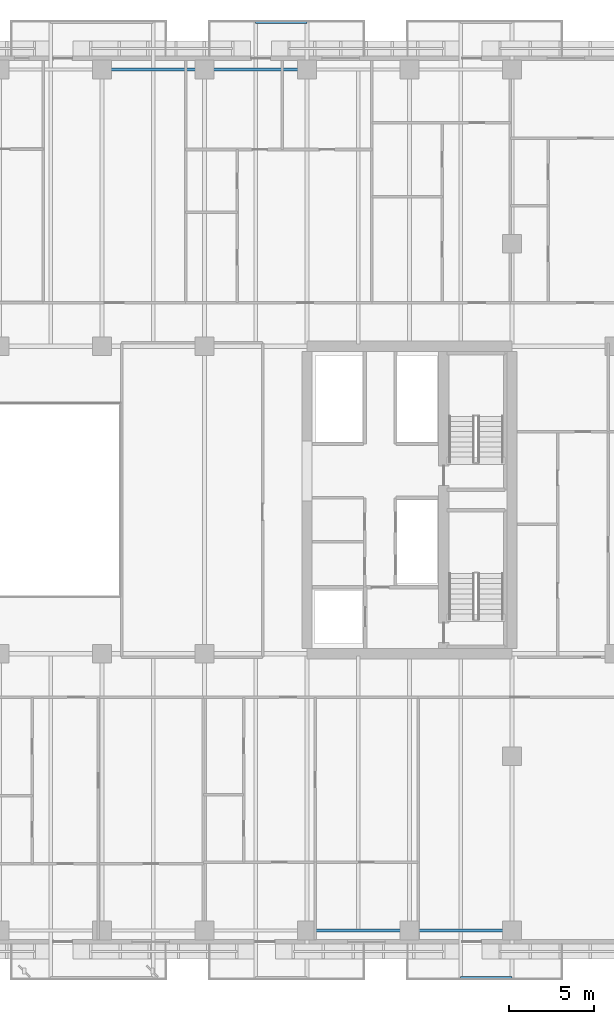
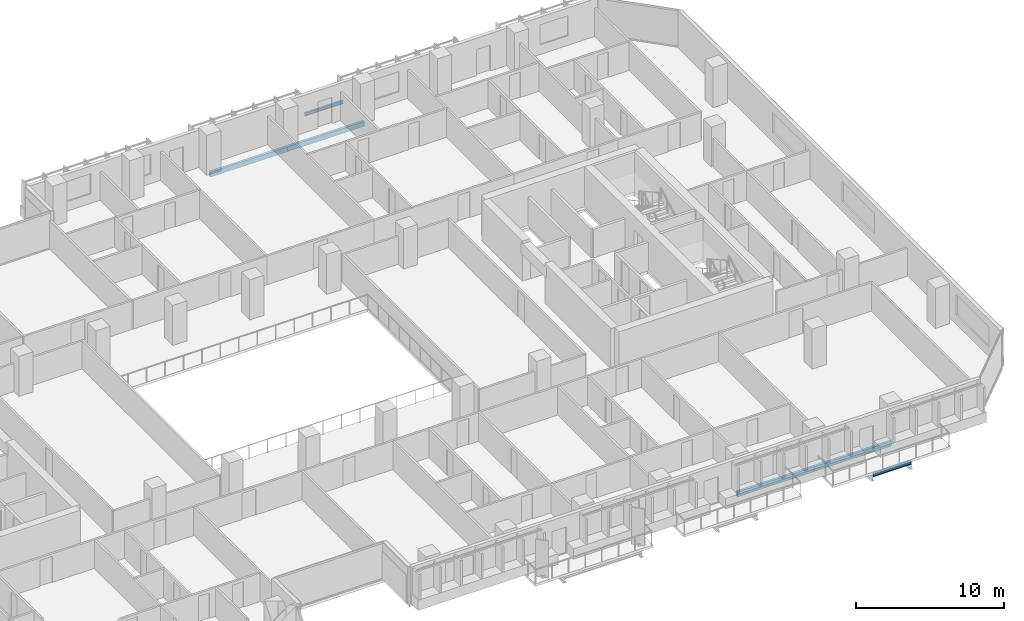
# One storey, part 12 of 34: 6 beams.
"""IFC4 building model written with IfcOpenShell, lengths in metres."""

import ifcopenshell
import ifcopenshell.guid

model = None  # the IFC model being written
_history = None  # IfcOwnerHistory: only IFC2X3 demands one
_inside = {}  # id of a spatial element -> (the spatial element, [elements in it])
_under = {}  # id of a project, library or spatial element -> (it, [spatial elements below it])
_declared = {}  # id of a project -> (the project, [libraries it declares])
_typed = {}  # id of a type object -> (the type object, [elements of that type])
_made_of = {}  # id of a material, layer set ... -> (it, [elements and type objects made of it])


def new_model(schema):
    """Start an empty IFC model of exactly this schema.

    Asked for "IFC4X3", IfcOpenShell would pick the latest addendum, in which some entities
    have other attributes; the version numbers below select the first issue.
    IFC2X3 requires an IfcOwnerHistory on every rooted entity: one is made here for all.
    """
    global model, _history
    if schema == "IFC4X3":
        model = ifcopenshell.file(schema_version=(4, 3, 0, 0))
    else:
        model = ifcopenshell.file(schema=schema)
    _inside.clear()
    _under.clear()
    _declared.clear()
    _typed.clear()
    _made_of.clear()
    _history = None
    if model.schema == "IFC2X3":
        org = make("IfcOrganization", Name="unknown")
        user = make(
            "IfcPersonAndOrganization",
            ThePerson=make("IfcPerson", FamilyName="unknown"),
            TheOrganization=org,
        )
        app = make(
            "IfcApplication",
            ApplicationDeveloper=org,
            Version="unknown",
            ApplicationFullName="unknown",
            ApplicationIdentifier="unknown",
        )
        _history = make(
            "IfcOwnerHistory",
            OwningUser=user,
            OwningApplication=app,
            ChangeAction="ADDED",
            CreationDate=0,
        )
    return model


def make(cls, **values):
    """One entity of the class cls with the attributes given. An attribute that is None is left unset."""
    return model.create_entity(
        cls, **{name: value for name, value in values.items() if value is not None}
    )


def rooted(cls, **values):
    """An entity with a GlobalId (a new one), such as an element, a storey or a relation."""
    return make(cls, GlobalId=ifcopenshell.guid.new(), OwnerHistory=_history, **values)


def si_unit(unit_type, name, prefix=None):
    """IfcSIUnit, for example si_unit("LENGTHUNIT", "METRE", prefix="MILLI")."""
    return make("IfcSIUnit", UnitType=unit_type, Prefix=prefix, Name=name)


def assignment(units):
    """IfcUnitAssignment: the units of a project."""
    return None if units is None else make("IfcUnitAssignment", Units=units)


def point(xyz):
    """IfcCartesianPoint."""
    return None if xyz is None else make("IfcCartesianPoint", Coordinates=xyz)


def direction(xyz):
    """IfcDirection."""
    return None if xyz is None else make("IfcDirection", DirectionRatios=xyz)


def frame(location, z_axis=None, x_axis=None):
    """IfcAxis2Placement3D, a coordinate frame: its origin and axes. An axis left out is left unset."""
    return make(
        "IfcAxis2Placement3D",
        Location=point(location),
        Axis=direction(z_axis),
        RefDirection=direction(x_axis),
    )


def frame_2d(location, x_axis=None):
    """IfcAxis2Placement2D, a coordinate frame in the plane: its origin and x axis."""
    return make(
        "IfcAxis2Placement2D", Location=point(location), RefDirection=direction(x_axis)
    )


def origin():
    """The frame at (0, 0, 0) with its axes left unset."""
    return frame((0.0, 0.0, 0.0))


def origin_2d():
    """The frame at (0, 0) in the plane with its x axis left unset."""
    return frame_2d((0.0, 0.0))


def place(relative_to, where):
    """IfcLocalPlacement: puts the frame where relative to a parent placement (None: the world)."""
    return make(
        "IfcLocalPlacement", PlacementRelTo=relative_to, RelativePlacement=where
    )


def context(
    kind, dimensions, precision=None, world=None, true_north=None, identifier=None
):
    """IfcGeometricRepresentationContext, for example the 3D "Model" context."""
    return make(
        "IfcGeometricRepresentationContext",
        ContextIdentifier=identifier,
        ContextType=kind,
        CoordinateSpaceDimension=dimensions,
        Precision=precision,
        WorldCoordinateSystem=world,
        TrueNorth=true_north,
    )


def subcontext(parent, identifier, kind, view, scale=None):
    """IfcGeometricRepresentationSubContext, for example "Body" below "Model"."""
    return make(
        "IfcGeometricRepresentationSubContext",
        ContextIdentifier=identifier,
        ContextType=kind,
        ParentContext=parent,
        TargetScale=scale,
        TargetView=view,
    )


def project(units=None, contexts=None):
    """IfcProject with its units and contexts."""
    return rooted(
        "IfcProject",
        Name="project",
        RepresentationContexts=contexts,
        UnitsInContext=assignment(units),
    )


def spatial(cls, under=None, at=None, **own):
    """A site, building, storey or space (cls), placed at a placement, below another one or the project."""
    s = rooted(cls, ObjectPlacement=at, **own)
    if under is not None:
        _under.setdefault(under.id(), (under, []))[1].append(s)
    return s


def profile(cls, at=None, kind="AREA", **sizes):
    """A parametric profile (cls). Its sizes go by their IFC names, for example OverallWidth=200.0."""
    return make(cls, ProfileType=kind, Position=at, **sizes)


def hollow_rectangle(**sizes):
    """IfcRectangleHollowProfileDef."""
    return profile("IfcRectangleHollowProfileDef", **sizes)


def i_section(**sizes):
    """IfcIShapeProfileDef."""
    return profile("IfcIShapeProfileDef", **sizes)


def extrude(swept, where, along, depth):
    """IfcExtrudedAreaSolid: the profile swept, set in the frame where, extruded along a direction by depth."""
    return make(
        "IfcExtrudedAreaSolid",
        SweptArea=swept,
        Position=where,
        ExtrudedDirection=direction(along),
        Depth=depth,
    )


def shape(context_of_items, identifier, shape_type, items):
    """IfcShapeRepresentation: the items that make up one representation, for example the "Body"."""
    return make(
        "IfcShapeRepresentation",
        ContextOfItems=context_of_items,
        RepresentationIdentifier=identifier,
        RepresentationType=shape_type,
        Items=items,
    )


def material(Name=None, Category=None):
    """IfcMaterial."""
    return make("IfcMaterial", Name=Name, Category=Category)


def material_profile(
    of_material, cross_section, Name=None, Category=None, Priority=None
):
    """IfcMaterialProfile: a cross section and its material."""
    return make(
        "IfcMaterialProfile",
        Name=Name,
        Material=of_material,
        Profile=cross_section,
        Priority=Priority,
        Category=Category,
    )


def profile_set(profiles, Name=None, composite=None):
    """IfcMaterialProfileSet."""
    return make(
        "IfcMaterialProfileSet",
        Name=Name,
        MaterialProfiles=profiles,
        CompositeProfile=composite,
    )


def made_of(thing, what):
    """Note that an element or type object is made of a material, layer set ...; save() writes the relation."""
    if what is not None:
        _made_of.setdefault(what.id(), (what, []))[1].append(thing)
    return thing


def type_object(cls, material=None, **own):
    """A type object (cls), such as IfcWallType, which elements share."""
    return made_of(rooted(cls, **own), material)


def element(
    cls,
    number,
    at=None,
    inside=None,
    cuts=None,
    type_object=None,
    material=None,
    context=None,
    identifier="Body",
    shape_type=None,
    held_by="IfcProductDefinitionShape",
    body=None,
    shapes=None,
    **own,
):
    """One element of the class cls, such as IfcWall. Its Tag is "e" and its number.

    at: its placement. inside: the storey or other place that contains it. cuts: it is an
    opening in that element (IfcRelVoidsElement). A single representation is given by context,
    identifier, shape_type and body (its items); several are given by shapes. held_by: the class
    of the entity that holds the representations. save() writes the other relations.
    """
    e = rooted(cls, Tag="e%d" % number, ObjectPlacement=at, **own)
    if body is not None:
        shapes = [shape(context, identifier, shape_type, body)]
    if shapes is not None:
        e.Representation = make(held_by, Representations=shapes)
    if inside is not None:
        _inside.setdefault(inside.id(), (inside, []))[1].append(e)
    if cuts is not None:
        rooted(
            "IfcRelVoidsElement", RelatingBuildingElement=cuts, RelatedOpeningElement=e
        )
    if type_object is not None:
        _typed.setdefault(type_object.id(), (type_object, []))[1].append(e)
    return made_of(e, material)


def aggregate(whole, parts):
    """IfcRelAggregates: a whole, such as a stair, and the parts it consists of."""
    return rooted("IfcRelAggregates", RelatingObject=whole, RelatedObjects=parts)


def save(model, path):
    """Write the relations noted so far, then the file.

    IfcRelAggregates (storeys below a building ...), IfcRelContainedInSpatialStructure (elements
    in a storey), IfcRelDefinesByType, IfcRelAssociatesMaterial and IfcRelDeclares: one each for
    every whole, place, type object, material and project.
    """
    for whole, parts in _under.values():
        aggregate(whole, parts)
    for where, things in _inside.values():
        rooted(
            "IfcRelContainedInSpatialStructure",
            RelatedElements=things,
            RelatingStructure=where,
        )
    for kind, things in _typed.values():
        rooted("IfcRelDefinesByType", RelatedObjects=things, RelatingType=kind)
    for what, things in _made_of.values():
        rooted("IfcRelAssociatesMaterial", RelatedObjects=things, RelatingMaterial=what)
    for by, libraries in _declared.values():
        rooted("IfcRelDeclares", RelatingContext=by, RelatedDefinitions=libraries)
    model.write(path)


model = new_model("IFC4")

# Units and contexts
model_context = context("Model", 3, precision=1e-05, world=origin(), true_north=direction((0.0, 1.0)))
body_context = subcontext(model_context, "Body", "Model", "MODEL_VIEW")
ifc_project = project(units=[si_unit("LENGTHUNIT", "METRE"), si_unit("AREAUNIT", "SQUARE_METRE"), si_unit("VOLUMEUNIT", "CUBIC_METRE"), si_unit("PLANEANGLEUNIT", "RADIAN"), si_unit("MASSUNIT", "GRAM", prefix="KILO")], contexts=[model_context])

# Site, building, storey
site_placement = place(None, origin())
site = spatial("IfcSite", under=ifc_project, at=site_placement, CompositionType="ELEMENT")
building_placement = place(site_placement, origin())
building = spatial("IfcBuilding", under=site, at=building_placement, Name="Tanjung Sevakor Pilgrim Tower", CompositionType="ELEMENT")
storey_placement = place(building_placement, frame((0.0, 0.0, 55.43994140625)))
storey = spatial("IfcBuildingStorey", under=building, at=storey_placement, Name="L15", CompositionType="ELEMENT", Elevation=55.43994140625)

# Beams
ifc_material_1 = material(Name="Steel S355J2", Category="steel")
ifc_material_profile_1 = material_profile(ifc_material_1, i_section(OverallWidth=0.146484375, OverallDepth=0.256103515625, WebThickness=0.00634765625, FlangeThickness=0.010986328125, FilletRadius=0.007568359375, at=origin_2d()))
ifc_profile_set_1 = profile_set([ifc_material_profile_1], Name="Steel S355J2")
beam_type_1 = type_object("IfcBeamType", Name="BM-B-J6-UB_254x146x37", PredefinedType="JOIST", material=ifc_profile_set_1)
for number, where, z_axis, x_axis, name in (
    (1, (75.0, 61.580078125, -0.327880859375), (1.0, 0.0, 0.0), (0.0, 1.0, 0.0), "L15 Balcony Rim Tie MAIN-N3"),
    (2, (87.0, 5.6201171875, -0.327880859375), (1.0, 0.0, 0.0), (0.0, 1.0, 0.0), "L15 Balcony Rim Tie MAIN-S4"),
):
    element("IfcBeam", number, at=place(storey_placement, frame(where, z_axis=z_axis, x_axis=x_axis)), inside=storey, type_object=beam_type_1, Name=name, PredefinedType="JOIST", context=body_context, shape_type="SweptSolid", body=[
        extrude(i_section(OverallWidth=0.146484375, OverallDepth=0.256103515625, WebThickness=0.00634765625, FlangeThickness=0.010986328125, FilletRadius=0.007568359375, at=origin_2d()), origin(), (0.0, 0.0, 1.0), 3.0),
    ])
ifc_material_2 = material(Name="Steel S355J2", Category="steel")
ifc_material_profile_2 = material_profile(ifc_material_2, hollow_rectangle(XDim=0.199951171875, YDim=0.39990234375, WallThickness=0.01611328125, at=origin_2d()))
ifc_profile_set_2 = profile_set([ifc_material_profile_2], Name="Steel S355J2")
beam_type_2 = type_object("IfcBeamType", Name="BM-B-SP2-RHS_400x200x16", PredefinedType="SPANDREL", material=ifc_profile_set_2)
for number, where, z_axis, x_axis, name in (
    (3, (66.0, 58.800048828125, -0.419921875), (1.0, 0.0, 0.0), (0.0, 1.0, 0.0), "L15 Spandrel MAIN N-12"),
    (4, (72.0, 58.800048828125, -0.419921875), (1.0, 0.0, 0.0), (0.0, 1.0, 0.0), "L15 Spandrel MAIN N-14"),
    (5, (78.0, 8.39990234375, -0.419921875), (1.0, 0.0, 0.0), (0.0, 1.0, 0.0), "L15 Spandrel MAIN S-15"),
    (6, (84.0, 8.39990234375, -0.419921875), (1.0, 0.0, 0.0), (0.0, 1.0, 0.0), "L15 Spandrel MAIN S-17"),
):
    element("IfcBeam", number, at=place(storey_placement, frame(where, z_axis=z_axis, x_axis=x_axis)), inside=storey, type_object=beam_type_2, Name=name, PredefinedType="SPANDREL", context=body_context, shape_type="SweptSolid", body=[
        extrude(hollow_rectangle(XDim=0.199951171875, YDim=0.39990234375, WallThickness=0.01611328125, at=origin_2d()), origin(), (0.0, 0.0, 1.0), 6.0),
    ])

save(model, "model.ifc")
